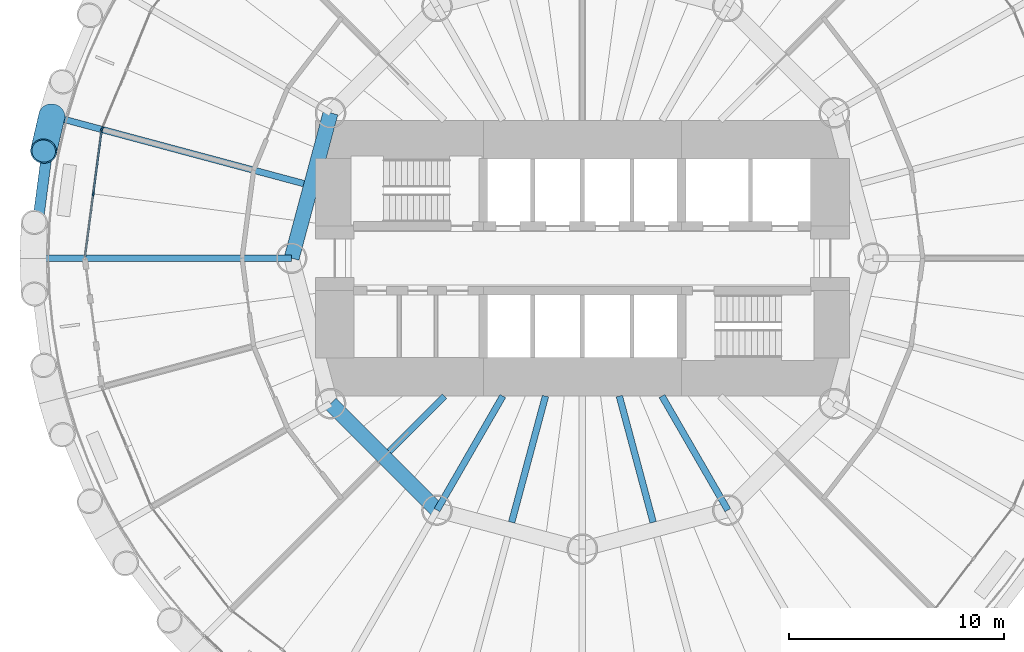
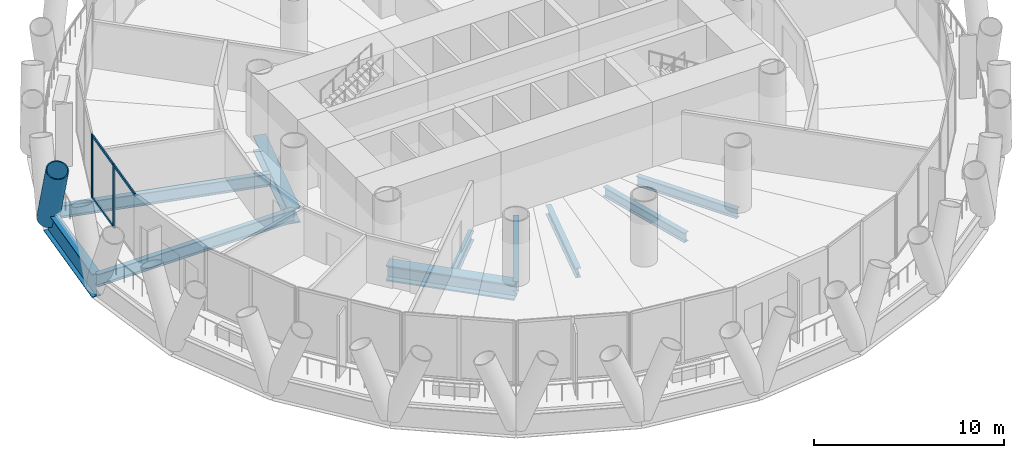
# One storey, part 3 of 14: 10 beams, 7 members, 2 elements without a shape of their own.
"""IFC4 building model written with IfcOpenShell, lengths in metres."""

import ifcopenshell
import ifcopenshell.guid

model = None  # the IFC model being written
_history = None  # IfcOwnerHistory: only IFC2X3 demands one
_inside = {}  # id of a spatial element -> (the spatial element, [elements in it])
_under = {}  # id of a project, library or spatial element -> (it, [spatial elements below it])
_declared = {}  # id of a project -> (the project, [libraries it declares])
_typed = {}  # id of a type object -> (the type object, [elements of that type])
_made_of = {}  # id of a material, layer set ... -> (it, [elements and type objects made of it])


def new_model(schema):
    """Start an empty IFC model of exactly this schema.

    Asked for "IFC4X3", IfcOpenShell would pick the latest addendum, in which some entities
    have other attributes; the version numbers below select the first issue.
    IFC2X3 requires an IfcOwnerHistory on every rooted entity: one is made here for all.
    """
    global model, _history
    if schema == "IFC4X3":
        model = ifcopenshell.file(schema_version=(4, 3, 0, 0))
    else:
        model = ifcopenshell.file(schema=schema)
    _inside.clear()
    _under.clear()
    _declared.clear()
    _typed.clear()
    _made_of.clear()
    _history = None
    if model.schema == "IFC2X3":
        org = make("IfcOrganization", Name="unknown")
        user = make(
            "IfcPersonAndOrganization",
            ThePerson=make("IfcPerson", FamilyName="unknown"),
            TheOrganization=org,
        )
        app = make(
            "IfcApplication",
            ApplicationDeveloper=org,
            Version="unknown",
            ApplicationFullName="unknown",
            ApplicationIdentifier="unknown",
        )
        _history = make(
            "IfcOwnerHistory",
            OwningUser=user,
            OwningApplication=app,
            ChangeAction="ADDED",
            CreationDate=0,
        )
    return model


def make(cls, **values):
    """One entity of the class cls with the attributes given. An attribute that is None is left unset."""
    return model.create_entity(
        cls, **{name: value for name, value in values.items() if value is not None}
    )


def rooted(cls, **values):
    """An entity with a GlobalId (a new one), such as an element, a storey or a relation."""
    return make(cls, GlobalId=ifcopenshell.guid.new(), OwnerHistory=_history, **values)


def si_unit(unit_type, name, prefix=None):
    """IfcSIUnit, for example si_unit("LENGTHUNIT", "METRE", prefix="MILLI")."""
    return make("IfcSIUnit", UnitType=unit_type, Prefix=prefix, Name=name)


def assignment(units):
    """IfcUnitAssignment: the units of a project."""
    return None if units is None else make("IfcUnitAssignment", Units=units)


def point(xyz):
    """IfcCartesianPoint."""
    return None if xyz is None else make("IfcCartesianPoint", Coordinates=xyz)


def direction(xyz):
    """IfcDirection."""
    return None if xyz is None else make("IfcDirection", DirectionRatios=xyz)


def frame(location, z_axis=None, x_axis=None):
    """IfcAxis2Placement3D, a coordinate frame: its origin and axes. An axis left out is left unset."""
    return make(
        "IfcAxis2Placement3D",
        Location=point(location),
        Axis=direction(z_axis),
        RefDirection=direction(x_axis),
    )


def frame_2d(location, x_axis=None):
    """IfcAxis2Placement2D, a coordinate frame in the plane: its origin and x axis."""
    return make(
        "IfcAxis2Placement2D", Location=point(location), RefDirection=direction(x_axis)
    )


def origin():
    """The frame at (0, 0, 0) with its axes left unset."""
    return frame((0.0, 0.0, 0.0))


def origin_2d():
    """The frame at (0, 0) in the plane with its x axis left unset."""
    return frame_2d((0.0, 0.0))


def place(relative_to, where):
    """IfcLocalPlacement: puts the frame where relative to a parent placement (None: the world)."""
    return make(
        "IfcLocalPlacement", PlacementRelTo=relative_to, RelativePlacement=where
    )


def context(
    kind, dimensions, precision=None, world=None, true_north=None, identifier=None
):
    """IfcGeometricRepresentationContext, for example the 3D "Model" context."""
    return make(
        "IfcGeometricRepresentationContext",
        ContextIdentifier=identifier,
        ContextType=kind,
        CoordinateSpaceDimension=dimensions,
        Precision=precision,
        WorldCoordinateSystem=world,
        TrueNorth=true_north,
    )


def subcontext(parent, identifier, kind, view, scale=None):
    """IfcGeometricRepresentationSubContext, for example "Body" below "Model"."""
    return make(
        "IfcGeometricRepresentationSubContext",
        ContextIdentifier=identifier,
        ContextType=kind,
        ParentContext=parent,
        TargetScale=scale,
        TargetView=view,
    )


def project(units=None, contexts=None):
    """IfcProject with its units and contexts."""
    return rooted(
        "IfcProject",
        Name="project",
        RepresentationContexts=contexts,
        UnitsInContext=assignment(units),
    )


def spatial(cls, under=None, at=None, **own):
    """A site, building, storey or space (cls), placed at a placement, below another one or the project."""
    s = rooted(cls, ObjectPlacement=at, **own)
    if under is not None:
        _under.setdefault(under.id(), (under, []))[1].append(s)
    return s


def profile(cls, at=None, kind="AREA", **sizes):
    """A parametric profile (cls). Its sizes go by their IFC names, for example OverallWidth=200.0."""
    return make(cls, ProfileType=kind, Position=at, **sizes)


def rectangle(**sizes):
    """IfcRectangleProfileDef."""
    return profile("IfcRectangleProfileDef", **sizes)


def hollow_circle(**sizes):
    """IfcCircleHollowProfileDef."""
    return profile("IfcCircleHollowProfileDef", **sizes)


def i_section(**sizes):
    """IfcIShapeProfileDef."""
    return profile("IfcIShapeProfileDef", **sizes)


def extrude(swept, where, along, depth):
    """IfcExtrudedAreaSolid: the profile swept, set in the frame where, extruded along a direction by depth."""
    return make(
        "IfcExtrudedAreaSolid",
        SweptArea=swept,
        Position=where,
        ExtrudedDirection=direction(along),
        Depth=depth,
    )


def shape(context_of_items, identifier, shape_type, items):
    """IfcShapeRepresentation: the items that make up one representation, for example the "Body"."""
    return make(
        "IfcShapeRepresentation",
        ContextOfItems=context_of_items,
        RepresentationIdentifier=identifier,
        RepresentationType=shape_type,
        Items=items,
    )


def material(Name=None, Category=None):
    """IfcMaterial."""
    return make("IfcMaterial", Name=Name, Category=Category)


def material_profile(
    of_material, cross_section, Name=None, Category=None, Priority=None
):
    """IfcMaterialProfile: a cross section and its material."""
    return make(
        "IfcMaterialProfile",
        Name=Name,
        Material=of_material,
        Profile=cross_section,
        Priority=Priority,
        Category=Category,
    )


def profile_set(profiles, Name=None, composite=None):
    """IfcMaterialProfileSet."""
    return make(
        "IfcMaterialProfileSet",
        Name=Name,
        MaterialProfiles=profiles,
        CompositeProfile=composite,
    )


def made_of(thing, what):
    """Note that an element or type object is made of a material, layer set ...; save() writes the relation."""
    if what is not None:
        _made_of.setdefault(what.id(), (what, []))[1].append(thing)
    return thing


def type_object(cls, material=None, **own):
    """A type object (cls), such as IfcWallType, which elements share."""
    return made_of(rooted(cls, **own), material)


def element(
    cls,
    number,
    at=None,
    inside=None,
    cuts=None,
    type_object=None,
    material=None,
    context=None,
    identifier="Body",
    shape_type=None,
    held_by="IfcProductDefinitionShape",
    body=None,
    shapes=None,
    **own,
):
    """One element of the class cls, such as IfcWall. Its Tag is "e" and its number.

    at: its placement. inside: the storey or other place that contains it. cuts: it is an
    opening in that element (IfcRelVoidsElement). A single representation is given by context,
    identifier, shape_type and body (its items); several are given by shapes. held_by: the class
    of the entity that holds the representations. save() writes the other relations.
    """
    e = rooted(cls, Tag="e%d" % number, ObjectPlacement=at, **own)
    if body is not None:
        shapes = [shape(context, identifier, shape_type, body)]
    if shapes is not None:
        e.Representation = make(held_by, Representations=shapes)
    if inside is not None:
        _inside.setdefault(inside.id(), (inside, []))[1].append(e)
    if cuts is not None:
        rooted(
            "IfcRelVoidsElement", RelatingBuildingElement=cuts, RelatedOpeningElement=e
        )
    if type_object is not None:
        _typed.setdefault(type_object.id(), (type_object, []))[1].append(e)
    return made_of(e, material)


def aggregate(whole, parts):
    """IfcRelAggregates: a whole, such as a stair, and the parts it consists of."""
    return rooted("IfcRelAggregates", RelatingObject=whole, RelatedObjects=parts)


def save(model, path):
    """Write the relations noted so far, then the file.

    IfcRelAggregates (storeys below a building ...), IfcRelContainedInSpatialStructure (elements
    in a storey), IfcRelDefinesByType, IfcRelAssociatesMaterial and IfcRelDeclares: one each for
    every whole, place, type object, material and project.
    """
    for whole, parts in _under.values():
        aggregate(whole, parts)
    for where, things in _inside.values():
        rooted(
            "IfcRelContainedInSpatialStructure",
            RelatedElements=things,
            RelatingStructure=where,
        )
    for kind, things in _typed.values():
        rooted("IfcRelDefinesByType", RelatedObjects=things, RelatingType=kind)
    for what, things in _made_of.values():
        rooted("IfcRelAssociatesMaterial", RelatedObjects=things, RelatingMaterial=what)
    for by, libraries in _declared.values():
        rooted("IfcRelDeclares", RelatingContext=by, RelatedDefinitions=libraries)
    model.write(path)


model = new_model("IFC4")

# Units and contexts
model_context = context("Model", 3, precision=1e-05, world=origin(), true_north=direction((0.0, 1.0)))
body_context = subcontext(model_context, "Body", "Model", "MODEL_VIEW")
ifc_project = project(units=[si_unit("LENGTHUNIT", "METRE"), si_unit("AREAUNIT", "SQUARE_METRE"), si_unit("VOLUMEUNIT", "CUBIC_METRE"), si_unit("PLANEANGLEUNIT", "RADIAN"), si_unit("MASSUNIT", "GRAM", prefix="KILO")], contexts=[model_context])

# Site, building, storey
site_placement = place(None, origin())
site = spatial("IfcSite", under=ifc_project, at=site_placement, CompositionType="ELEMENT")
building_placement = place(site_placement, origin())
building = spatial("IfcBuilding", under=site, at=building_placement, Name="Qaws Media Tower", CompositionType="ELEMENT")
storey_placement = place(building_placement, frame((0.0, 0.0, 76.39990234375)))
storey = spatial("IfcBuildingStorey", under=building, at=storey_placement, Name="L16", CompositionType="ELEMENT", Elevation=76.39990234375)

# Curtain wall, member
ifc_material_1 = material(Name="Aluminium and clear glass", Category="aluminium")
curtain_wall_type = type_object("IfcCurtainWallType", Name="Unitised curtain wall CW-A", PredefinedType="NOTDEFINED", material=ifc_material_1)
curtain_wall_1_placement = place(storey_placement, origin())
curtain_wall_1 = element("IfcCurtainWall", 1, at=curtain_wall_1_placement, inside=storey, type_object=curtain_wall_type, Name="CWA curtain wall L16-11", PredefinedType="NOTDEFINED")
ifc_material_2 = material(Name="Aluminium mullion", Category="aluminium")
ifc_material_profile_1 = material_profile(ifc_material_2, rectangle(XDim=0.080078125, YDim=0.199951171875, at=origin_2d()), Name="80x200")
ifc_profile_set_1 = profile_set([ifc_material_profile_1], Name="Aluminium mullion")
member_type_1 = type_object("IfcMemberType", Name="Curtain wall mullion 80x200", PredefinedType="MULLION", material=ifc_profile_set_1)
member_1_placement = place(storey_placement, frame((37.702392578125, 56.015625, 0.0), z_axis=(0.0, 0.0, 1.0), x_axis=(0.923879517022, -0.382683469758, 0.0)))
member_1 = element("IfcMember", 2, at=member_1_placement, type_object=member_type_1, Name="CWA mullion 3", PredefinedType="MULLION", context=body_context, shape_type="SweptSolid", body=[
    extrude(rectangle(XDim=0.080078125, YDim=0.199951171875, at=origin_2d()), origin(), (0.0, 0.0, 1.0), 4.0400390625),
])
aggregate(curtain_wall_1, [member_1])

# Curtain wall, members
curtain_wall_2_placement = place(storey_placement, origin())
curtain_wall_2 = element("IfcCurtainWall", 3, at=curtain_wall_2_placement, inside=storey, type_object=curtain_wall_type, Name="CWA curtain wall L16-12", PredefinedType="NOTDEFINED")
member_2_placement = place(storey_placement, frame((37.681884765625, 55.93896484375, 0.0), z_axis=(0.0, 0.0, 1.0), x_axis=(0.991444870395, -0.130526123696, 0.0)))
member_2 = element("IfcMember", 4, at=member_2_placement, type_object=member_type_1, Name="CWA mullion 1", PredefinedType="MULLION", context=body_context, shape_type="SweptSolid", body=[
    extrude(rectangle(XDim=0.080078125, YDim=0.199951171875, at=origin_2d()), origin(), (0.0, 0.0, 1.0), 4.0400390625),
])
member_3_placement = place(storey_placement, frame((37.29345703125, 52.9892578125, 0.0), z_axis=(0.0, 0.0, 1.0), x_axis=(0.991444870395, -0.130526123696, 0.0)))
member_3 = element("IfcMember", 5, at=member_3_placement, type_object=member_type_1, Name="CWA mullion 2", PredefinedType="MULLION", context=body_context, shape_type="SweptSolid", body=[
    extrude(rectangle(XDim=0.080078125, YDim=0.199951171875, at=origin_2d()), origin(), (0.0, 0.0, 1.0), 4.0400390625),
])
ifc_material_3 = material(Name="Aluminium transom", Category="aluminium")
ifc_material_profile_2 = material_profile(ifc_material_3, rectangle(XDim=0.080078125, YDim=0.159912109375, at=origin_2d()), Name="80x160")
ifc_profile_set_2 = profile_set([ifc_material_profile_2], Name="Aluminium transom")
member_type_2 = type_object("IfcMemberType", Name="Curtain wall transom 80x160", PredefinedType="USERDEFINED", material=ifc_profile_set_2)
member_4_placement = place(storey_placement, frame((37.6767578125, 55.8994140625, 0.0400390625), z_axis=(-0.130539586254, -0.991443097924, 0.0), x_axis=(0.991443097924, -0.130539586254, 0.0)))
member_4 = element("IfcMember", 6, at=member_4_placement, type_object=member_type_2, Name="CWA transom 1.1", ObjectType="TRANSOM", PredefinedType="USERDEFINED", context=body_context, shape_type="SweptSolid", body=[
    extrude(rectangle(XDim=0.080078125, YDim=0.159912109375, at=origin_2d()), origin(), (0.0, 0.0, 1.0), 2.89501953125),
])
member_5_placement = place(storey_placement, frame((37.6767578125, 55.8994140625, 4.0), z_axis=(-0.130539586254, -0.991443097924, 0.0), x_axis=(0.991443097924, -0.130539586254, 0.0)))
member_5 = element("IfcMember", 7, at=member_5_placement, type_object=member_type_2, Name="CWA transom 1.2", ObjectType="TRANSOM", PredefinedType="USERDEFINED", context=body_context, shape_type="SweptSolid", body=[
    extrude(rectangle(XDim=0.080078125, YDim=0.159912109375, at=origin_2d()), origin(), (0.0, 0.0, 1.0), 2.89501953125),
])
member_6_placement = place(storey_placement, frame((37.288330078125, 52.94970703125, 4.0), z_axis=(-0.130539586254, -0.991443097924, 0.0), x_axis=(0.991443097924, -0.130539586254, 0.0)))
member_6 = element("IfcMember", 8, at=member_6_placement, type_object=member_type_2, Name="CWA transom 2.2", ObjectType="TRANSOM", PredefinedType="USERDEFINED", context=body_context, shape_type="SweptSolid", body=[
    extrude(rectangle(XDim=0.080078125, YDim=0.159912109375, at=origin_2d()), origin(), (0.0, 0.0, 1.0), 2.89501953125),
])
aggregate(curtain_wall_2, [member_2, member_3, member_4, member_5, member_6])

# Member
ifc_material_4 = material(Name="Steel S460", Category="steel")
ifc_material_profile_3 = material_profile(ifc_material_4, hollow_circle(Radius=0.609619140625, WallThickness=0.06005859375, at=origin_2d()), Name="CHS 1219x60")
ifc_profile_set_3 = profile_set([ifc_material_profile_3], Name="Steel S460")
member_type_3 = type_object("IfcMemberType", Name="Diagrid member CHS 1219x60", PredefinedType="USERDEFINED", material=ifc_profile_set_3)
member_7_placement = place(storey_placement, frame((35.368896484375, 56.599853515625, -0.909912109375), z_axis=(-0.083842391234, -0.359571492302, 0.92934320644), x_axis=(0.973875734494, -0.227081601553, 0.0)))
element("IfcMember", 9, at=member_7_placement, inside=storey, type_object=member_type_3, Name="DG1 diagrid L16 A12", ObjectType="DIAGRID", PredefinedType="USERDEFINED", context=body_context, shape_type="SweptSolid", body=[
    extrude(hollow_circle(Radius=0.609619140625, WallThickness=0.06005859375, at=origin_2d()), origin(), (0.0, 0.0, 1.0), 4.519287109375),
])

# Beams
ifc_material_5 = material(Name="Steel S460", Category="steel")
ifc_material_profile_4 = material_profile(ifc_material_5, i_section(OverallWidth=0.5, OverallDepth=1.5, WebThickness=0.02001953125, FlangeThickness=0.0400390625, at=origin_2d()), Name="PG 1500x500")
ifc_profile_set_4 = profile_set([ifc_material_profile_4], Name="Steel S460")
beam_type_1 = type_object("IfcBeamType", Name="Edge ring beam PG 1500x500", PredefinedType="BEAM", material=ifc_profile_set_4)
beam_1_placement = place(storey_placement, frame((35.368896484375, 56.599853515625, -0.909912109375), z_axis=(-0.130527563319, -0.991444680864, 0.0), x_axis=(0.991444680864, -0.130527563319, 0.0)))
element("IfcBeam", 10, at=beam_1_placement, inside=storey, type_object=beam_type_1, Name="RB4 edge ring beam L16-12", PredefinedType="BEAM", context=body_context, shape_type="SweptSolid", body=[
    extrude(i_section(OverallWidth=0.5, OverallDepth=1.5, WebThickness=0.02001953125, FlangeThickness=0.0400390625, at=origin_2d()), origin(), (0.0, 0.0, 1.0), 6.65673828125),
])
ifc_material_6 = material(Name="Steel S460", Category="steel")
ifc_material_profile_5 = material_profile(ifc_material_6, i_section(OverallWidth=0.699951171875, OverallDepth=1.0, WebThickness=0.034912109375, FlangeThickness=0.090087890625, at=origin_2d()), Name="PG 1000x700")
ifc_profile_set_5 = profile_set([ifc_material_profile_5], Name="Steel S460")
beam_type_2 = type_object("IfcBeamType", Name="Inner ring girder PG 1000x700", PredefinedType="BEAM", material=ifc_profile_set_5)
beam_2_placement = place(storey_placement, frame((48.30859375, 56.75, -0.659912109375), z_axis=(-0.258810593767, -0.965928090778, 0.0), x_axis=(0.965928090778, -0.258810593767, 0.0)))
element("IfcBeam", 11, at=beam_2_placement, inside=storey, type_object=beam_type_2, Name="B3 inner ring beam L16 I06-I07", PredefinedType="BEAM", context=body_context, shape_type="SweptSolid", body=[
    extrude(i_section(OverallWidth=0.699951171875, OverallDepth=1.0, WebThickness=0.034912109375, FlangeThickness=0.090087890625, at=origin_2d()), origin(), (0.0, 0.0, 1.0), 6.988037109375),
])
beam_3_placement = place(storey_placement, frame((48.30859375, 43.25, -0.659912109375), z_axis=(0.707106781187, -0.707106781187, 0.0), x_axis=(0.707106781187, 0.707106781187, 0.0)))
element("IfcBeam", 12, at=beam_3_placement, inside=storey, type_object=beam_type_2, Name="B3 inner ring beam L16 I08-I09", PredefinedType="BEAM", context=body_context, shape_type="SweptSolid", body=[
    extrude(i_section(OverallWidth=0.699951171875, OverallDepth=1.0, WebThickness=0.034912109375, FlangeThickness=0.090087890625, at=origin_2d()), origin(), (0.0, 0.0, 1.0), 6.98828125),
])
ifc_material_7 = material(Name="Steel S355", Category="steel")
ifc_material_profile_6 = material_profile(ifc_material_7, i_section(OverallWidth=0.304931640625, OverallDepth=0.6201171875, WebThickness=0.02099609375, FlangeThickness=0.0400390625, FilletRadius=0.027099609375, at=origin_2d()), Name="HE 600 M")
ifc_profile_set_6 = profile_set([ifc_material_profile_6], Name="Steel S355")
beam_type_3 = type_object("IfcBeamType", Name="Radial beam HE 600 M, core side", PredefinedType="BEAM", material=ifc_profile_set_6)
beam_4_placement = place(storey_placement, frame((53.60009765625, 43.60009765625, -0.469970703125), z_axis=(-0.707106781187, -0.707106781187, 0.0), x_axis=(0.707106781187, -0.707106781187, 0.0)))
element("IfcBeam", 13, at=beam_4_placement, inside=storey, type_object=beam_type_3, Name="B2 radial beam L16 16", PredefinedType="BEAM", context=body_context, shape_type="SweptSolid", body=[
    extrude(i_section(OverallWidth=0.304931640625, OverallDepth=0.6201171875, WebThickness=0.02099609375, FlangeThickness=0.0400390625, FilletRadius=0.027099609375, at=origin_2d()), origin(), (0.0, 0.0, 1.0), 3.63916015625),
])
beam_5_placement = place(storey_placement, frame((56.304931640625, 43.60009765625, -0.469970703125), z_axis=(-0.49998532359, -0.866033877048, 0.0), x_axis=(0.866033877048, -0.49998532359, 0.0)))
element("IfcBeam", 14, at=beam_5_placement, inside=storey, type_object=beam_type_3, Name="B2 radial beam L16 17", PredefinedType="BEAM", context=body_context, shape_type="SweptSolid", body=[
    extrude(i_section(OverallWidth=0.304931640625, OverallDepth=0.6201171875, WebThickness=0.02099609375, FlangeThickness=0.0400390625, FilletRadius=0.027099609375, at=origin_2d()), origin(), (0.0, 0.0, 1.0), 6.110107421875),
])
for number, where, z_axis, x_axis, name in (
    (15, (58.28515625, 43.60009765625, -0.469970703125), (-0.258822614448, -0.965924869879, 0.0), (0.965924869879, -0.258822614448, 0.0), "B2 radial beam L16 18"),
    (16, (61.71484375, 43.60009765625, -0.469970703125), (0.258822614448, -0.965924869879, 0.0), (0.965924869879, 0.258822614448, 0.0), "B2 radial beam L16 20"),
):
    element("IfcBeam", number, at=place(storey_placement, frame(where, z_axis=z_axis, x_axis=x_axis)), inside=storey, type_object=beam_type_3, Name=name, PredefinedType="BEAM", context=body_context, shape_type="SweptSolid", body=[
        extrude(i_section(OverallWidth=0.304931640625, OverallDepth=0.6201171875, WebThickness=0.02099609375, FlangeThickness=0.0400390625, FilletRadius=0.027099609375, at=origin_2d()), origin(), (0.0, 0.0, 1.0), 6.064208984375),
    ])
beam_6_placement = place(storey_placement, frame((63.695068359375, 43.60009765625, -0.469970703125), z_axis=(0.49998532359, -0.866033877048, 0.0), x_axis=(0.866033877048, 0.49998532359, 0.0)))
element("IfcBeam", 17, at=beam_6_placement, inside=storey, type_object=beam_type_3, Name="B2 radial beam L16 21", PredefinedType="BEAM", context=body_context, shape_type="SweptSolid", body=[
    extrude(i_section(OverallWidth=0.304931640625, OverallDepth=0.6201171875, WebThickness=0.02099609375, FlangeThickness=0.0400390625, FilletRadius=0.027099609375, at=origin_2d()), origin(), (0.0, 0.0, 1.0), 6.110107421875),
])
ifc_material_8 = material(Name="Steel S355", Category="steel")
ifc_material_profile_7 = material_profile(ifc_material_8, i_section(OverallWidth=0.300048828125, OverallDepth=0.800048828125, WebThickness=0.017578125, FlangeThickness=0.032958984375, FilletRadius=0.030029296875, at=origin_2d()), Name="HE 800 B")
ifc_profile_set_7 = profile_set([ifc_material_profile_7], Name="Steel S355")
beam_type_4 = type_object("IfcBeamType", Name="Radial beam HE 800 B", PredefinedType="BEAM", material=ifc_profile_set_7)
beam_7_placement = place(storey_placement, frame((47.066162109375, 53.465576171875, -0.559814453125), z_axis=(-0.965925734094, 0.258819389178, 0.0), x_axis=(-0.258819389178, -0.965925734094, 0.0)))
element("IfcBeam", 18, at=beam_7_placement, inside=storey, type_object=beam_type_4, Name="B1 radial beam L16 12", PredefinedType="BEAM", context=body_context, shape_type="SweptSolid", body=[
    extrude(i_section(OverallWidth=0.300048828125, OverallDepth=0.800048828125, WebThickness=0.017578125, FlangeThickness=0.032958984375, FilletRadius=0.030029296875, at=origin_2d()), origin(), (0.0, 0.0, 1.0), 12.10986328125),
])
beam_8_placement = place(storey_placement, frame((46.5, 50.0, -0.559814453125), z_axis=(-1.0, 0.0, 0.0), x_axis=(0.0, -1.0, 0.0)))
element("IfcBeam", 19, at=beam_8_placement, inside=storey, type_object=beam_type_4, Name="B1 radial beam L16 13", PredefinedType="BEAM", context=body_context, shape_type="SweptSolid", body=[
    extrude(i_section(OverallWidth=0.300048828125, OverallDepth=0.800048828125, WebThickness=0.017578125, FlangeThickness=0.032958984375, FilletRadius=0.030029296875, at=origin_2d()), origin(), (0.0, 0.0, 1.0), 12.0),
])

save(model, "model.ifc")
